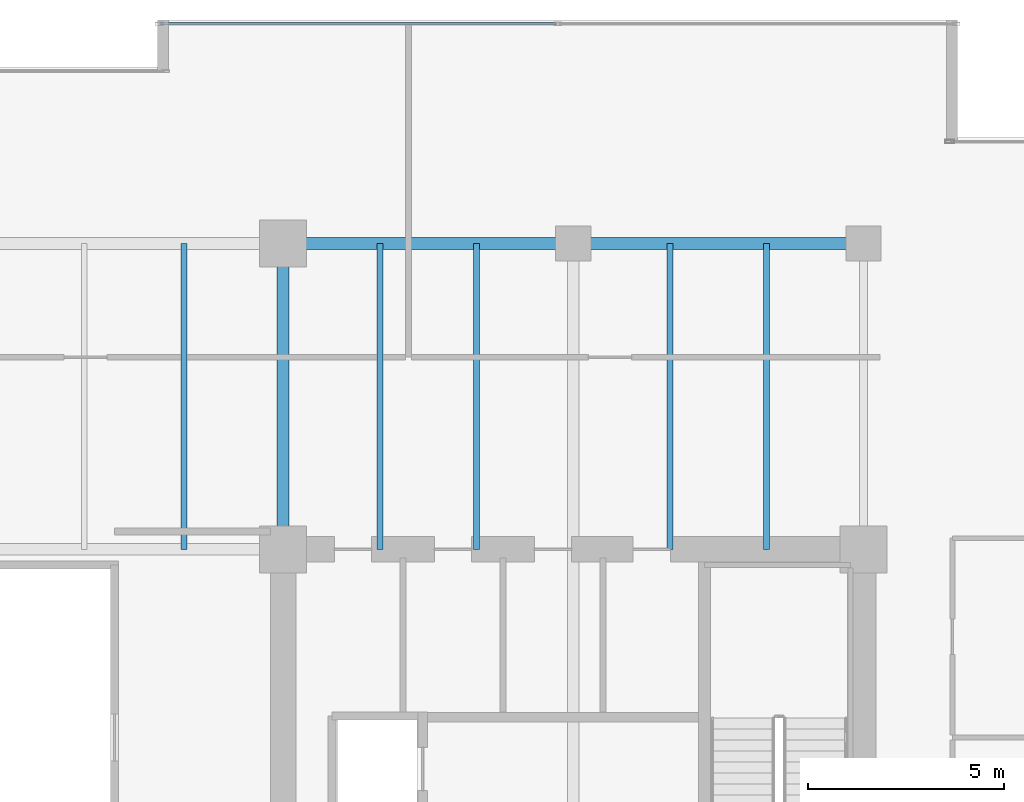
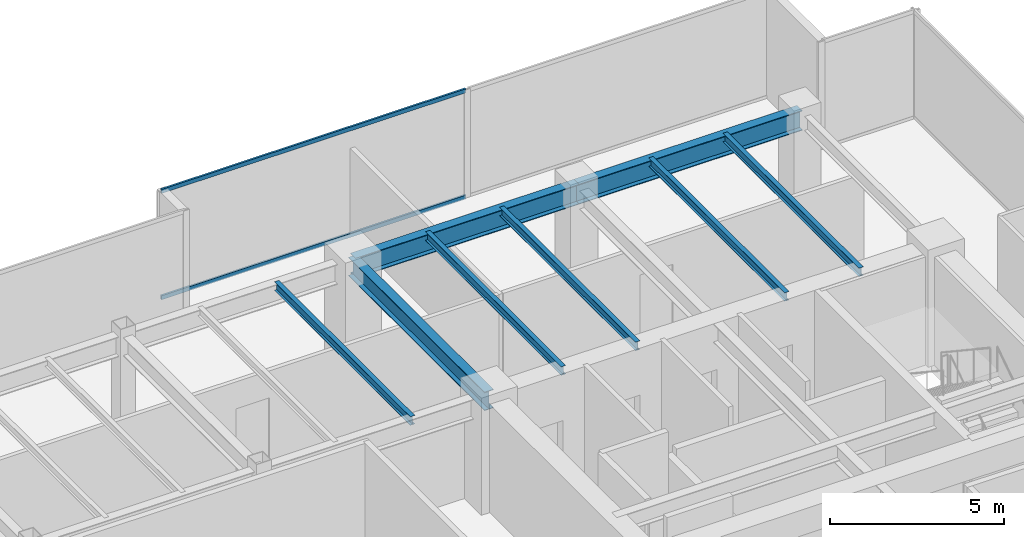
# One storey, part 19 of 30: 8 beams, 2 members, 1 element without a shape of its own.
"""IFC4 building model written with IfcOpenShell, lengths in metres."""

import ifcopenshell
import ifcopenshell.guid

model = None  # the IFC model being written
_history = None  # IfcOwnerHistory: only IFC2X3 demands one
_inside = {}  # id of a spatial element -> (the spatial element, [elements in it])
_under = {}  # id of a project, library or spatial element -> (it, [spatial elements below it])
_declared = {}  # id of a project -> (the project, [libraries it declares])
_typed = {}  # id of a type object -> (the type object, [elements of that type])
_made_of = {}  # id of a material, layer set ... -> (it, [elements and type objects made of it])


def new_model(schema):
    """Start an empty IFC model of exactly this schema.

    Asked for "IFC4X3", IfcOpenShell would pick the latest addendum, in which some entities
    have other attributes; the version numbers below select the first issue.
    IFC2X3 requires an IfcOwnerHistory on every rooted entity: one is made here for all.
    """
    global model, _history
    if schema == "IFC4X3":
        model = ifcopenshell.file(schema_version=(4, 3, 0, 0))
    else:
        model = ifcopenshell.file(schema=schema)
    _inside.clear()
    _under.clear()
    _declared.clear()
    _typed.clear()
    _made_of.clear()
    _history = None
    if model.schema == "IFC2X3":
        org = make("IfcOrganization", Name="unknown")
        user = make(
            "IfcPersonAndOrganization",
            ThePerson=make("IfcPerson", FamilyName="unknown"),
            TheOrganization=org,
        )
        app = make(
            "IfcApplication",
            ApplicationDeveloper=org,
            Version="unknown",
            ApplicationFullName="unknown",
            ApplicationIdentifier="unknown",
        )
        _history = make(
            "IfcOwnerHistory",
            OwningUser=user,
            OwningApplication=app,
            ChangeAction="ADDED",
            CreationDate=0,
        )
    return model


def make(cls, **values):
    """One entity of the class cls with the attributes given. An attribute that is None is left unset."""
    return model.create_entity(
        cls, **{name: value for name, value in values.items() if value is not None}
    )


def rooted(cls, **values):
    """An entity with a GlobalId (a new one), such as an element, a storey or a relation."""
    return make(cls, GlobalId=ifcopenshell.guid.new(), OwnerHistory=_history, **values)


def si_unit(unit_type, name, prefix=None):
    """IfcSIUnit, for example si_unit("LENGTHUNIT", "METRE", prefix="MILLI")."""
    return make("IfcSIUnit", UnitType=unit_type, Prefix=prefix, Name=name)


def assignment(units):
    """IfcUnitAssignment: the units of a project."""
    return None if units is None else make("IfcUnitAssignment", Units=units)


def point(xyz):
    """IfcCartesianPoint."""
    return None if xyz is None else make("IfcCartesianPoint", Coordinates=xyz)


def direction(xyz):
    """IfcDirection."""
    return None if xyz is None else make("IfcDirection", DirectionRatios=xyz)


def frame(location, z_axis=None, x_axis=None):
    """IfcAxis2Placement3D, a coordinate frame: its origin and axes. An axis left out is left unset."""
    return make(
        "IfcAxis2Placement3D",
        Location=point(location),
        Axis=direction(z_axis),
        RefDirection=direction(x_axis),
    )


def frame_2d(location, x_axis=None):
    """IfcAxis2Placement2D, a coordinate frame in the plane: its origin and x axis."""
    return make(
        "IfcAxis2Placement2D", Location=point(location), RefDirection=direction(x_axis)
    )


def origin():
    """The frame at (0, 0, 0) with its axes left unset."""
    return frame((0.0, 0.0, 0.0))


def origin_2d():
    """The frame at (0, 0) in the plane with its x axis left unset."""
    return frame_2d((0.0, 0.0))


def place(relative_to, where):
    """IfcLocalPlacement: puts the frame where relative to a parent placement (None: the world)."""
    return make(
        "IfcLocalPlacement", PlacementRelTo=relative_to, RelativePlacement=where
    )


def context(
    kind, dimensions, precision=None, world=None, true_north=None, identifier=None
):
    """IfcGeometricRepresentationContext, for example the 3D "Model" context."""
    return make(
        "IfcGeometricRepresentationContext",
        ContextIdentifier=identifier,
        ContextType=kind,
        CoordinateSpaceDimension=dimensions,
        Precision=precision,
        WorldCoordinateSystem=world,
        TrueNorth=true_north,
    )


def subcontext(parent, identifier, kind, view, scale=None):
    """IfcGeometricRepresentationSubContext, for example "Body" below "Model"."""
    return make(
        "IfcGeometricRepresentationSubContext",
        ContextIdentifier=identifier,
        ContextType=kind,
        ParentContext=parent,
        TargetScale=scale,
        TargetView=view,
    )


def project(units=None, contexts=None):
    """IfcProject with its units and contexts."""
    return rooted(
        "IfcProject",
        Name="project",
        RepresentationContexts=contexts,
        UnitsInContext=assignment(units),
    )


def spatial(cls, under=None, at=None, **own):
    """A site, building, storey or space (cls), placed at a placement, below another one or the project."""
    s = rooted(cls, ObjectPlacement=at, **own)
    if under is not None:
        _under.setdefault(under.id(), (under, []))[1].append(s)
    return s


def profile(cls, at=None, kind="AREA", **sizes):
    """A parametric profile (cls). Its sizes go by their IFC names, for example OverallWidth=200.0."""
    return make(cls, ProfileType=kind, Position=at, **sizes)


def hollow_rectangle(**sizes):
    """IfcRectangleHollowProfileDef."""
    return profile("IfcRectangleHollowProfileDef", **sizes)


def i_section(**sizes):
    """IfcIShapeProfileDef."""
    return profile("IfcIShapeProfileDef", **sizes)


def extrude(swept, where, along, depth):
    """IfcExtrudedAreaSolid: the profile swept, set in the frame where, extruded along a direction by depth."""
    return make(
        "IfcExtrudedAreaSolid",
        SweptArea=swept,
        Position=where,
        ExtrudedDirection=direction(along),
        Depth=depth,
    )


def shape(context_of_items, identifier, shape_type, items):
    """IfcShapeRepresentation: the items that make up one representation, for example the "Body"."""
    return make(
        "IfcShapeRepresentation",
        ContextOfItems=context_of_items,
        RepresentationIdentifier=identifier,
        RepresentationType=shape_type,
        Items=items,
    )


def source(mapping_origin, context_of_items, identifier, shape_type, items):
    """IfcRepresentationMap: a shape defined once, which mapped items show again and again."""
    return make(
        "IfcRepresentationMap",
        MappingOrigin=mapping_origin,
        MappedRepresentation=shape(context_of_items, identifier, shape_type, items),
    )


def transform(
    local_origin,
    x_axis=None,
    y_axis=None,
    z_axis=None,
    scale=None,
    scale2=None,
    scale3=None,
    uniform=True,
):
    """IfcCartesianTransformationOperator3D, or its non-uniform kind. x_axis, y_axis, z_axis: its Axis1, 2, 3."""
    if uniform:
        return make(
            "IfcCartesianTransformationOperator3D",
            Axis1=direction(x_axis),
            Axis2=direction(y_axis),
            LocalOrigin=point(local_origin),
            Scale=scale,
            Axis3=direction(z_axis),
        )
    return make(
        "IfcCartesianTransformationOperator3DnonUniform",
        Axis1=direction(x_axis),
        Axis2=direction(y_axis),
        LocalOrigin=point(local_origin),
        Scale=scale,
        Axis3=direction(z_axis),
        Scale2=scale2,
        Scale3=scale3,
    )


def mapped(mapping_source, mapping_target):
    """IfcMappedItem: shows the shape of a source again, moved by a transform."""
    return make(
        "IfcMappedItem", MappingSource=mapping_source, MappingTarget=mapping_target
    )


def material(Name=None, Category=None):
    """IfcMaterial."""
    return make("IfcMaterial", Name=Name, Category=Category)


def layer(
    of_material, thickness, ventilated=None, Name=None, Category=None, Priority=None
):
    """IfcMaterialLayer: one layer of a wall or slab, of a material (None: an air gap)."""
    return make(
        "IfcMaterialLayer",
        Material=of_material,
        LayerThickness=thickness,
        IsVentilated=ventilated,
        Name=Name,
        Category=Category,
        Priority=Priority,
    )


def layer_set(layers, Name=None):
    """IfcMaterialLayerSet."""
    return make("IfcMaterialLayerSet", MaterialLayers=layers, LayerSetName=Name)


def material_profile(
    of_material, cross_section, Name=None, Category=None, Priority=None
):
    """IfcMaterialProfile: a cross section and its material."""
    return make(
        "IfcMaterialProfile",
        Name=Name,
        Material=of_material,
        Profile=cross_section,
        Priority=Priority,
        Category=Category,
    )


def profile_set(profiles, Name=None, composite=None):
    """IfcMaterialProfileSet."""
    return make(
        "IfcMaterialProfileSet",
        Name=Name,
        MaterialProfiles=profiles,
        CompositeProfile=composite,
    )


def made_of(thing, what):
    """Note that an element or type object is made of a material, layer set ...; save() writes the relation."""
    if what is not None:
        _made_of.setdefault(what.id(), (what, []))[1].append(thing)
    return thing


def type_object(cls, material=None, **own):
    """A type object (cls), such as IfcWallType, which elements share."""
    return made_of(rooted(cls, **own), material)


def type_shapes(of_type, sources):
    """Give a type object the sources (RepresentationMaps) that its elements show as mapped items."""
    of_type.RepresentationMaps = sources


def element(
    cls,
    number,
    at=None,
    inside=None,
    cuts=None,
    type_object=None,
    material=None,
    context=None,
    identifier="Body",
    shape_type=None,
    held_by="IfcProductDefinitionShape",
    body=None,
    shapes=None,
    **own,
):
    """One element of the class cls, such as IfcWall. Its Tag is "e" and its number.

    at: its placement. inside: the storey or other place that contains it. cuts: it is an
    opening in that element (IfcRelVoidsElement). A single representation is given by context,
    identifier, shape_type and body (its items); several are given by shapes. held_by: the class
    of the entity that holds the representations. save() writes the other relations.
    """
    e = rooted(cls, Tag="e%d" % number, ObjectPlacement=at, **own)
    if body is not None:
        shapes = [shape(context, identifier, shape_type, body)]
    if shapes is not None:
        e.Representation = make(held_by, Representations=shapes)
    if inside is not None:
        _inside.setdefault(inside.id(), (inside, []))[1].append(e)
    if cuts is not None:
        rooted(
            "IfcRelVoidsElement", RelatingBuildingElement=cuts, RelatedOpeningElement=e
        )
    if type_object is not None:
        _typed.setdefault(type_object.id(), (type_object, []))[1].append(e)
    return made_of(e, material)


def aggregate(whole, parts):
    """IfcRelAggregates: a whole, such as a stair, and the parts it consists of."""
    return rooted("IfcRelAggregates", RelatingObject=whole, RelatedObjects=parts)


def save(model, path):
    """Write the relations noted so far, then the file.

    IfcRelAggregates (storeys below a building ...), IfcRelContainedInSpatialStructure (elements
    in a storey), IfcRelDefinesByType, IfcRelAssociatesMaterial and IfcRelDeclares: one each for
    every whole, place, type object, material and project.
    """
    for whole, parts in _under.values():
        aggregate(whole, parts)
    for where, things in _inside.values():
        rooted(
            "IfcRelContainedInSpatialStructure",
            RelatedElements=things,
            RelatingStructure=where,
        )
    for kind, things in _typed.values():
        rooted("IfcRelDefinesByType", RelatedObjects=things, RelatingType=kind)
    for what, things in _made_of.values():
        rooted("IfcRelAssociatesMaterial", RelatedObjects=things, RelatingMaterial=what)
    for by, libraries in _declared.values():
        rooted("IfcRelDeclares", RelatingContext=by, RelatedDefinitions=libraries)
    model.write(path)


model = new_model("IFC4")

# Units and contexts
model_context = context("Model", 3, precision=1e-05, world=origin(), true_north=direction((0.0, 1.0)))
body_context = subcontext(model_context, "Body", "Model", "MODEL_VIEW")
ifc_project = project(units=[si_unit("LENGTHUNIT", "METRE"), si_unit("AREAUNIT", "SQUARE_METRE"), si_unit("VOLUMEUNIT", "CUBIC_METRE"), si_unit("PLANEANGLEUNIT", "RADIAN"), si_unit("MASSUNIT", "GRAM", prefix="KILO")], contexts=[model_context])

# Site, building, storey
site_placement = place(None, origin())
site = spatial("IfcSite", under=ifc_project, at=site_placement, CompositionType="ELEMENT")
building_placement = place(site_placement, origin())
building = spatial("IfcBuilding", under=site, at=building_placement, Name="Haelvirn Gate Laboratories", CompositionType="ELEMENT")
storey_placement = place(building_placement, frame((0.0, 0.0, 105.10009765625)))
storey = spatial("IfcBuildingStorey", under=building, at=storey_placement, Name="L25", CompositionType="ELEMENT", Elevation=105.10009765625)

# Beams
ifc_material_1 = material(Name="Steel SM355", Category="steel")
ifc_material_profile_1 = material_profile(ifc_material_1, i_section(OverallWidth=0.300048828125, OverallDepth=0.64990234375, WebThickness=0.012939453125, FlangeThickness=0.02197265625, at=origin_2d()), Name="H-650x300x13x22")
ifc_profile_set_1 = profile_set([ifc_material_profile_1], Name="Steel SM355")
beam_type_1 = type_object("IfcBeamType", Name="BM-G-650", PredefinedType="BEAM", material=ifc_profile_set_1)
shared_shape_1 = source(origin(), body_context, "Body", "SweptSolid", [
    extrude(i_section(OverallWidth=0.300048828125, OverallDepth=0.64990234375, WebThickness=0.012939453125, FlangeThickness=0.02197265625, at=origin_2d()), origin(), (0.0, 0.0, 1.0), 7.800048828125),
])
type_shapes(beam_type_1, [shared_shape_1])
beam_placement = place(storey_placement, frame((52.60009765625, 33.800048828125, 3.46484375), z_axis=(0.0, 1.0, 0.0), x_axis=(-1.0, 0.0, 0.0)))
element("IfcBeam", 1, at=beam_placement, inside=storey, type_object=beam_type_1, Name="L25 Frame Girder X52.6 (33.8-41.6)", PredefinedType="BEAM", context=body_context, shape_type="MappedRepresentation", body=[
    mapped(shared_shape_1, transform((0.0, 0.0, 0.0), scale=1.0)),
])
ifc_material_profile_2 = material_profile(ifc_material_1, i_section(OverallWidth=0.300048828125, OverallDepth=0.699951171875, WebThickness=0.012939453125, FlangeThickness=0.02392578125, at=origin_2d()), Name="H-700x300x13x24")
ifc_profile_set_2 = profile_set([ifc_material_profile_2], Name="Steel SM355")
beam_type_2 = type_object("IfcBeamType", Name="BM-G-700", PredefinedType="BEAM", material=ifc_profile_set_2)
shared_shape_2 = source(origin(), body_context, "Body", "SweptSolid", [
    extrude(i_section(OverallWidth=0.300048828125, OverallDepth=0.699951171875, WebThickness=0.012939453125, FlangeThickness=0.02392578125, at=origin_2d()), origin(), (0.0, 0.0, 1.0), 7.39990234375),
])
type_shapes(beam_type_2, [shared_shape_2])
for number, where, z_axis, x_axis, name in (
    (2, (52.60009765625, 41.60009765625, 3.43994140625), (1.0, 0.0, 0.0), (0.0, 1.0, 0.0), "L25 Primary Girder Y41.6 (52.6-60.0)"),
    (3, (60.0, 41.60009765625, 3.43994140625), (1.0, 0.0, 0.0), (0.0, 1.0, 0.0), "L25 Primary Girder Y41.6 (60.0-67.4)"),
):
    element("IfcBeam", number, at=place(storey_placement, frame(where, z_axis=z_axis, x_axis=x_axis)), inside=storey, type_object=beam_type_2, Name=name, PredefinedType="BEAM", context=body_context, shape_type="MappedRepresentation", body=[
        mapped(shared_shape_2, transform((0.0, 0.0, 0.0), scale=1.0)),
    ])
ifc_material_profile_3 = material_profile(ifc_material_1, i_section(OverallWidth=0.14990234375, OverallDepth=0.300048828125, WebThickness=0.006591796875, FlangeThickness=0.009033203125, at=origin_2d()), Name="H-300x150x6.5x9")
ifc_profile_set_3 = profile_set([ifc_material_profile_3], Name="Steel SM355")
beam_type_3 = type_object("IfcBeamType", Name="BM-J-300", PredefinedType="JOIST", material=ifc_profile_set_3)
shared_shape_3 = source(origin(), body_context, "Body", "SweptSolid", [
    extrude(i_section(OverallWidth=0.14990234375, OverallDepth=0.300048828125, WebThickness=0.006591796875, FlangeThickness=0.009033203125, at=origin_2d()), origin(), (0.0, 0.0, 1.0), 7.800048828125),
])
type_shapes(beam_type_3, [shared_shape_3])
for number, where, z_axis, x_axis, name in (
    (4, (50.070068359375, 33.800048828125, 3.639892578125), (0.0, 1.0, 0.0), (-1.0, 0.0, 0.0), "L25 Composite Lab Joist North X50.07"),
    (5, (55.070068359375, 33.800048828125, 3.639892578125), (0.0, 1.0, 0.0), (-1.0, 0.0, 0.0), "L25 Composite Lab Joist North X55.07"),
    (6, (57.530029296875, 33.800048828125, 3.639892578125), (0.0, 1.0, 0.0), (-1.0, 0.0, 0.0), "L25 Composite Lab Joist North X57.53"),
    (7, (62.469970703125, 33.800048828125, 3.639892578125), (0.0, 1.0, 0.0), (-1.0, 0.0, 0.0), "L25 Composite Lab Joist North X62.47"),
    (8, (64.929931640625, 33.800048828125, 3.639892578125), (0.0, 1.0, 0.0), (-1.0, 0.0, 0.0), "L25 Composite Lab Joist North X64.93"),
):
    element("IfcBeam", number, at=place(storey_placement, frame(where, z_axis=z_axis, x_axis=x_axis)), inside=storey, type_object=beam_type_3, Name=name, PredefinedType="JOIST", context=body_context, shape_type="MappedRepresentation", body=[
        mapped(shared_shape_3, transform((0.0, 0.0, 0.0), scale=1.0)),
    ])

# Curtain wall, members
ifc_material_2 = material(Name="Anodised bronze unitised aluminium & triple low-E glass", Category="aluminium")
ifc_layer = layer(ifc_material_2, 0.179931640625, Name="CW-SYS-3")
ifc_layer_set = layer_set([ifc_layer], Name="Anodised bronze unitised aluminium & triple low-E glass")
curtain_wall_type = type_object("IfcCurtainWallType", Name="CW-SYS-3", PredefinedType="NOTDEFINED", material=ifc_layer_set)
curtain_wall_placement = place(storey_placement, origin())
curtain_wall = element("IfcCurtainWall", 9, at=curtain_wall_placement, inside=storey, type_object=curtain_wall_type, Name="L25 Unitised Curtain Wall CW-L25-P0-E10-1", PredefinedType="NOTDEFINED")
ifc_material_3 = material(Name="Extruded aluminium 6063-T6 (anodised bronze)", Category="aluminium")
ifc_material_profile_4 = material_profile(ifc_material_3, hollow_rectangle(XDim=0.06494140625, YDim=0.139892578125, WallThickness=0.00390625, at=origin_2d()), Name="CWT-140x65x4")
ifc_profile_set_4 = profile_set([ifc_material_profile_4], Name="Extruded aluminium 6063-T6 (anodised bronze)")
member_type = type_object("IfcMemberType", Name="CWT-T140", PredefinedType="USERDEFINED", material=ifc_profile_set_4)
shared_shape_4 = source(origin(), body_context, "Body", "SweptSolid", [
    extrude(hollow_rectangle(XDim=0.06494140625, YDim=0.139892578125, WallThickness=0.00390625, at=origin_2d()), origin(), (0.0, 0.0, 1.0), 10.08740234375),
])
type_shapes(member_type, [shared_shape_4])
member_1_placement = place(storey_placement, frame((49.47509765625, 47.199951171875, 0.032470703125), z_axis=(1.0, 0.0, 0.0), x_axis=(0.0, 1.0, 0.0)))
member_1 = element("IfcMember", 10, at=member_1_placement, type_object=member_type, Name="CW3 transom 1.1", ObjectType="TRANSOM", PredefinedType="USERDEFINED", context=body_context, shape_type="MappedRepresentation", body=[
    mapped(shared_shape_4, transform((0.0, 0.0, 0.0), scale=1.0)),
])
member_2_placement = place(storey_placement, frame((49.47509765625, 47.199951171875, 3.75732421875), z_axis=(1.0, 0.0, 0.0), x_axis=(0.0, 1.0, 0.0)))
member_2 = element("IfcMember", 11, at=member_2_placement, type_object=member_type, Name="CW3 transom 1.2", ObjectType="TRANSOM", PredefinedType="USERDEFINED", context=body_context, shape_type="MappedRepresentation", body=[
    mapped(shared_shape_4, transform((0.0, 0.0, 0.0), scale=1.0)),
])
aggregate(curtain_wall, [member_1, member_2])

save(model, "model.ifc")
